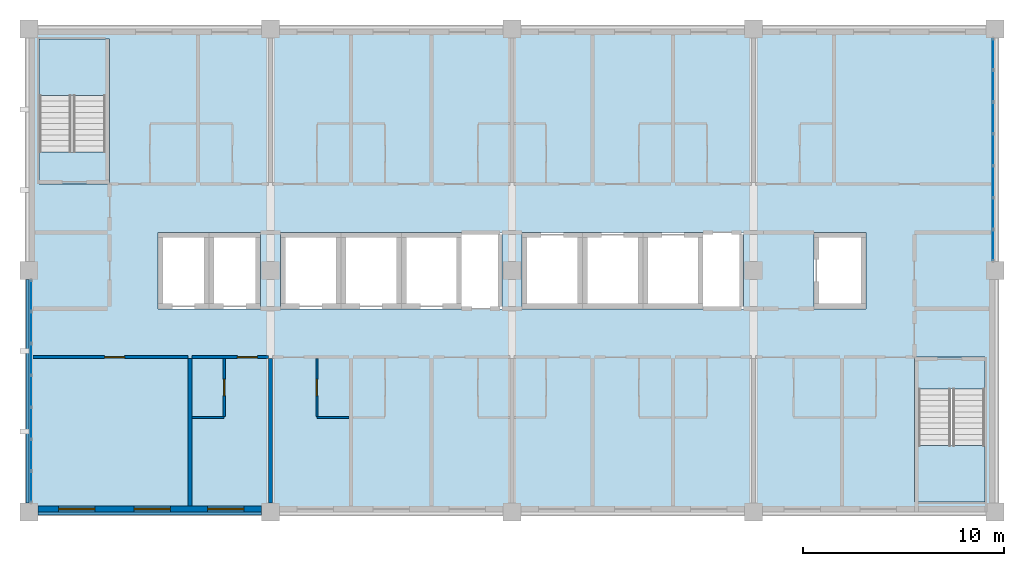
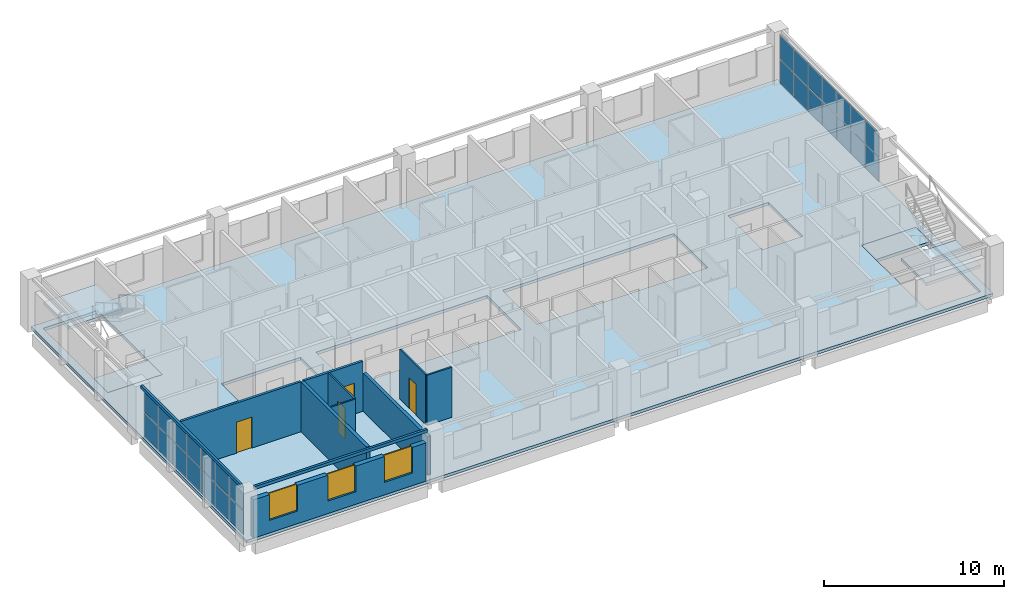
# One storey, part 5 of 11: 28 plates, 11 walls, 5 slabs, 4 doors, 3 windows, 7 openings, 4 elements without a shape of their own.
"""IFC4 building model written with IfcOpenShell, lengths in metres."""

from ifc_helpers import new_model, si_unit, direction, frame, frame_2d, origin, origin_2d, place, context, subcontext, project, spatial, polyline, rectangle, outline, extrude, material, layer, layer_set, type_object, element, fill, aggregate, save


model = new_model("IFC4")

# Units and contexts
model_context = context("Model", 3, precision=1e-05, world=origin(), true_north=direction((0.0, 1.0)))
body_context = subcontext(model_context, "Body", "Model", "MODEL_VIEW")
ifc_project = project(units=[si_unit("LENGTHUNIT", "METRE"), si_unit("AREAUNIT", "SQUARE_METRE"), si_unit("VOLUMEUNIT", "CUBIC_METRE"), si_unit("PLANEANGLEUNIT", "RADIAN"), si_unit("MASSUNIT", "GRAM", prefix="KILO")], contexts=[model_context])

# Site, building, storey
site_placement = place(None, origin())
site = spatial("IfcSite", under=ifc_project, at=site_placement, CompositionType="ELEMENT")
building_placement = place(site_placement, origin())
building = spatial("IfcBuilding", under=site, at=building_placement, Name="Lilac Gate Convention Centre", CompositionType="ELEMENT")
storey_placement = place(building_placement, frame((0.0, 0.0, 24.60009765625)))
storey = spatial("IfcBuildingStorey", under=building, at=storey_placement, Name="L05", CompositionType="ELEMENT", Elevation=24.60009765625)

# Curtain wall, plates
ifc_material_1 = material(Name="Aluminium framed double glazing", Category="aluminium")
ifc_layer_1 = layer(ifc_material_1, 0.199951171875)
ifc_layer_set_1 = layer_set([ifc_layer_1], Name="Aluminium framed double glazing")
curtain_wall_type = type_object("IfcCurtainWallType", Name="Unitised curtain wall 1500", PredefinedType="NOTDEFINED", material=ifc_layer_set_1)
curtain_wall_1_placement = place(storey_placement, origin())
curtain_wall_1 = element("IfcCurtainWall", 1, at=curtain_wall_1_placement, inside=storey, type_object=curtain_wall_type, Name="Curtain wall E L05 2", PredefinedType="NOTDEFINED")
ifc_material_2 = material(Name="Double glazed unit low emissivity")
ifc_layer_2 = layer(ifc_material_2, 0.028076171875)
ifc_layer_set_2 = layer_set([ifc_layer_2], Name="Double glazed unit low emissivity")
plate_type_1 = type_object("IfcPlateType", Name="Curtain wall glass panel 28", PredefinedType="CURTAIN_PANEL", material=ifc_layer_set_2)
plate_1_placement = place(storey_placement, frame((89.89990234375, 235.2578125, 1.72998046875), z_axis=(0.0, 0.0, 1.0), x_axis=(0.0, 1.0, 0.0)))
plate_1 = element("IfcPlate", 2, at=plate_1_placement, type_object=plate_type_1, Name="CW panel 1.2", PredefinedType="CURTAIN_PANEL", context=body_context, shape_type="SweptSolid", body=[
    extrude(rectangle(XDim=1.495849609375, YDim=0.028076171875, at=origin_2d()), origin(), (0.0, 0.0, 1.0), 1.610107421875),
])
plate_2_placement = place(storey_placement, frame((89.89990234375, 236.82861328125, 1.72998046875), z_axis=(0.0, 0.0, 1.0), x_axis=(0.0, 1.0, 0.0)))
plate_2 = element("IfcPlate", 3, at=plate_2_placement, type_object=plate_type_1, Name="CW panel 2.2", PredefinedType="CURTAIN_PANEL", context=body_context, shape_type="SweptSolid", body=[
    extrude(rectangle(XDim=1.525634765625, YDim=0.028076171875, at=origin_2d()), origin(), (0.0, 0.0, 1.0), 1.610107421875),
])
plate_3_placement = place(storey_placement, frame((89.89990234375, 238.414306640625, 1.72998046875), z_axis=(0.0, 0.0, 1.0), x_axis=(0.0, 1.0, 0.0)))
plate_3 = element("IfcPlate", 4, at=plate_3_placement, type_object=plate_type_1, Name="CW panel 3.2", PredefinedType="CURTAIN_PANEL", context=body_context, shape_type="SweptSolid", body=[
    extrude(rectangle(XDim=1.525634765625, YDim=0.028076171875, at=origin_2d()), origin(), (0.0, 0.0, 1.0), 1.610107421875),
])
plate_4_placement = place(storey_placement, frame((89.89990234375, 240.0, 1.72998046875), z_axis=(0.0, 0.0, 1.0), x_axis=(0.0, 1.0, 0.0)))
plate_4 = element("IfcPlate", 5, at=plate_4_placement, type_object=plate_type_1, Name="CW panel 4.2", PredefinedType="CURTAIN_PANEL", context=body_context, shape_type="SweptSolid", body=[
    extrude(rectangle(XDim=1.525634765625, YDim=0.028076171875, at=origin_2d()), origin(), (0.0, 0.0, 1.0), 1.610107421875),
])
plate_5_placement = place(storey_placement, frame((89.89990234375, 241.585693359375, 1.72998046875), z_axis=(0.0, 0.0, 1.0), x_axis=(0.0, 1.0, 0.0)))
plate_5 = element("IfcPlate", 6, at=plate_5_placement, type_object=plate_type_1, Name="CW panel 5.2", PredefinedType="CURTAIN_PANEL", context=body_context, shape_type="SweptSolid", body=[
    extrude(rectangle(XDim=1.525634765625, YDim=0.028076171875, at=origin_2d()), origin(), (0.0, 0.0, 1.0), 1.610107421875),
])
plate_6_placement = place(storey_placement, frame((89.89990234375, 243.17138671875, 1.72998046875), z_axis=(0.0, 0.0, 1.0), x_axis=(0.0, 1.0, 0.0)))
plate_6 = element("IfcPlate", 7, at=plate_6_placement, type_object=plate_type_1, Name="CW panel 6.2", PredefinedType="CURTAIN_PANEL", context=body_context, shape_type="SweptSolid", body=[
    extrude(rectangle(XDim=1.525634765625, YDim=0.028076171875, at=origin_2d()), origin(), (0.0, 0.0, 1.0), 1.610107421875),
])
plate_7_placement = place(storey_placement, frame((89.89990234375, 244.7421875, 1.72998046875), z_axis=(0.0, 0.0, 1.0), x_axis=(0.0, 1.0, 0.0)))
plate_7 = element("IfcPlate", 8, at=plate_7_placement, type_object=plate_type_1, Name="CW panel 7.2", PredefinedType="CURTAIN_PANEL", context=body_context, shape_type="SweptSolid", body=[
    extrude(rectangle(XDim=1.495849609375, YDim=0.028076171875, at=origin_2d()), origin(), (0.0, 0.0, 1.0), 1.610107421875),
])

curtain_wall_2_placement = place(storey_placement, origin())
curtain_wall_2 = element("IfcCurtainWall", 9, at=curtain_wall_2_placement, inside=storey, type_object=curtain_wall_type, Name="Curtain wall W L05 2", PredefinedType="NOTDEFINED")
plate_8_placement = place(storey_placement, frame((42.10009765625, 232.7421875, 1.72998046875), z_axis=(0.0, 0.0, 1.0), x_axis=(0.0, -1.0, 0.0)))
plate_8 = element("IfcPlate", 10, at=plate_8_placement, type_object=plate_type_1, Name="CW panel 1.2", PredefinedType="CURTAIN_PANEL", context=body_context, shape_type="SweptSolid", body=[
    extrude(rectangle(XDim=1.495849609375, YDim=0.028076171875, at=origin_2d()), origin(), (0.0, 0.0, 1.0), 1.610107421875),
])
plate_9_placement = place(storey_placement, frame((42.10009765625, 231.17138671875, 1.72998046875), z_axis=(0.0, 0.0, 1.0), x_axis=(0.0, -1.0, 0.0)))
plate_9 = element("IfcPlate", 11, at=plate_9_placement, type_object=plate_type_1, Name="CW panel 2.2", PredefinedType="CURTAIN_PANEL", context=body_context, shape_type="SweptSolid", body=[
    extrude(rectangle(XDim=1.525634765625, YDim=0.028076171875, at=origin_2d()), origin(), (0.0, 0.0, 1.0), 1.610107421875),
])
plate_10_placement = place(storey_placement, frame((42.10009765625, 229.585693359375, 1.72998046875), z_axis=(0.0, 0.0, 1.0), x_axis=(0.0, -1.0, 0.0)))
plate_10 = element("IfcPlate", 12, at=plate_10_placement, type_object=plate_type_1, Name="CW panel 3.2", PredefinedType="CURTAIN_PANEL", context=body_context, shape_type="SweptSolid", body=[
    extrude(rectangle(XDim=1.525634765625, YDim=0.028076171875, at=origin_2d()), origin(), (0.0, 0.0, 1.0), 1.610107421875),
])
plate_11_placement = place(storey_placement, frame((42.10009765625, 228.0, 1.72998046875), z_axis=(0.0, 0.0, 1.0), x_axis=(0.0, -1.0, 0.0)))
plate_11 = element("IfcPlate", 13, at=plate_11_placement, type_object=plate_type_1, Name="CW panel 4.2", PredefinedType="CURTAIN_PANEL", context=body_context, shape_type="SweptSolid", body=[
    extrude(rectangle(XDim=1.525634765625, YDim=0.028076171875, at=origin_2d()), origin(), (0.0, 0.0, 1.0), 1.610107421875),
])
plate_12_placement = place(storey_placement, frame((42.10009765625, 226.414306640625, 1.72998046875), z_axis=(0.0, 0.0, 1.0), x_axis=(0.0, -1.0, 0.0)))
plate_12 = element("IfcPlate", 14, at=plate_12_placement, type_object=plate_type_1, Name="CW panel 5.2", PredefinedType="CURTAIN_PANEL", context=body_context, shape_type="SweptSolid", body=[
    extrude(rectangle(XDim=1.525634765625, YDim=0.028076171875, at=origin_2d()), origin(), (0.0, 0.0, 1.0), 1.610107421875),
])
plate_13_placement = place(storey_placement, frame((42.10009765625, 224.82861328125, 1.72998046875), z_axis=(0.0, 0.0, 1.0), x_axis=(0.0, -1.0, 0.0)))
plate_13 = element("IfcPlate", 15, at=plate_13_placement, type_object=plate_type_1, Name="CW panel 6.2", PredefinedType="CURTAIN_PANEL", context=body_context, shape_type="SweptSolid", body=[
    extrude(rectangle(XDim=1.525634765625, YDim=0.028076171875, at=origin_2d()), origin(), (0.0, 0.0, 1.0), 1.610107421875),
])
plate_14_placement = place(storey_placement, frame((42.10009765625, 223.2578125, 1.72998046875), z_axis=(0.0, 0.0, 1.0), x_axis=(0.0, -1.0, 0.0)))
plate_14 = element("IfcPlate", 16, at=plate_14_placement, type_object=plate_type_1, Name="CW panel 7.2", PredefinedType="CURTAIN_PANEL", context=body_context, shape_type="SweptSolid", body=[
    extrude(rectangle(XDim=1.495849609375, YDim=0.028076171875, at=origin_2d()), origin(), (0.0, 0.0, 1.0), 1.610107421875),
])

# Plate
ifc_material_3 = material(Name="Insulated aluminium spandrel panel", Category="aluminium")
ifc_layer_3 = layer(ifc_material_3, 0.028076171875)
ifc_layer_set_3 = layer_set([ifc_layer_3], Name="Insulated aluminium spandrel panel")
plate_type_2 = type_object("IfcPlateType", Name="Curtain wall spandrel panel 28", PredefinedType="CURTAIN_PANEL", material=ifc_layer_set_3)
plate_15_placement = place(storey_placement, frame((89.89990234375, 235.2578125, 0.06005859375), z_axis=(0.0, 0.0, 1.0), x_axis=(0.0, 1.0, 0.0)))
plate_15 = element("IfcPlate", 17, at=plate_15_placement, type_object=plate_type_2, Name="CW spandrel 1.1", PredefinedType="CURTAIN_PANEL", context=body_context, shape_type="SweptSolid", body=[
    extrude(rectangle(XDim=1.495849609375, YDim=0.028076171875, at=origin_2d()), origin(), (0.0, 0.0, 1.0), 1.60986328125),
])

plate_16_placement = place(storey_placement, frame((89.89990234375, 236.82861328125, 0.06005859375), z_axis=(0.0, 0.0, 1.0), x_axis=(0.0, 1.0, 0.0)))
plate_16 = element("IfcPlate", 18, at=plate_16_placement, type_object=plate_type_2, Name="CW spandrel 2.1", PredefinedType="CURTAIN_PANEL", context=body_context, shape_type="SweptSolid", body=[
    extrude(rectangle(XDim=1.525634765625, YDim=0.028076171875, at=origin_2d()), origin(), (0.0, 0.0, 1.0), 1.60986328125),
])

plate_17_placement = place(storey_placement, frame((89.89990234375, 238.414306640625, 0.06005859375), z_axis=(0.0, 0.0, 1.0), x_axis=(0.0, 1.0, 0.0)))
plate_17 = element("IfcPlate", 19, at=plate_17_placement, type_object=plate_type_2, Name="CW spandrel 3.1", PredefinedType="CURTAIN_PANEL", context=body_context, shape_type="SweptSolid", body=[
    extrude(rectangle(XDim=1.525634765625, YDim=0.028076171875, at=origin_2d()), origin(), (0.0, 0.0, 1.0), 1.60986328125),
])

plate_18_placement = place(storey_placement, frame((89.89990234375, 240.0, 0.06005859375), z_axis=(0.0, 0.0, 1.0), x_axis=(0.0, 1.0, 0.0)))
plate_18 = element("IfcPlate", 20, at=plate_18_placement, type_object=plate_type_2, Name="CW spandrel 4.1", PredefinedType="CURTAIN_PANEL", context=body_context, shape_type="SweptSolid", body=[
    extrude(rectangle(XDim=1.525634765625, YDim=0.028076171875, at=origin_2d()), origin(), (0.0, 0.0, 1.0), 1.60986328125),
])

plate_19_placement = place(storey_placement, frame((89.89990234375, 241.585693359375, 0.06005859375), z_axis=(0.0, 0.0, 1.0), x_axis=(0.0, 1.0, 0.0)))
plate_19 = element("IfcPlate", 21, at=plate_19_placement, type_object=plate_type_2, Name="CW spandrel 5.1", PredefinedType="CURTAIN_PANEL", context=body_context, shape_type="SweptSolid", body=[
    extrude(rectangle(XDim=1.525634765625, YDim=0.028076171875, at=origin_2d()), origin(), (0.0, 0.0, 1.0), 1.60986328125),
])

plate_20_placement = place(storey_placement, frame((89.89990234375, 243.17138671875, 0.06005859375), z_axis=(0.0, 0.0, 1.0), x_axis=(0.0, 1.0, 0.0)))
plate_20 = element("IfcPlate", 22, at=plate_20_placement, type_object=plate_type_2, Name="CW spandrel 6.1", PredefinedType="CURTAIN_PANEL", context=body_context, shape_type="SweptSolid", body=[
    extrude(rectangle(XDim=1.525634765625, YDim=0.028076171875, at=origin_2d()), origin(), (0.0, 0.0, 1.0), 1.60986328125),
])

plate_21_placement = place(storey_placement, frame((89.89990234375, 244.7421875, 0.06005859375), z_axis=(0.0, 0.0, 1.0), x_axis=(0.0, 1.0, 0.0)))
plate_21 = element("IfcPlate", 23, at=plate_21_placement, type_object=plate_type_2, Name="CW spandrel 7.1", PredefinedType="CURTAIN_PANEL", context=body_context, shape_type="SweptSolid", body=[
    extrude(rectangle(XDim=1.495849609375, YDim=0.028076171875, at=origin_2d()), origin(), (0.0, 0.0, 1.0), 1.60986328125),
])

aggregate(curtain_wall_1, [plate_15, plate_1, plate_16, plate_2, plate_17, plate_3, plate_18, plate_4, plate_19, plate_5, plate_20, plate_6, plate_21, plate_7])

plate_22_placement = place(storey_placement, frame((42.10009765625, 232.7421875, 0.06005859375), z_axis=(0.0, 0.0, 1.0), x_axis=(0.0, -1.0, 0.0)))
plate_22 = element("IfcPlate", 24, at=plate_22_placement, type_object=plate_type_2, Name="CW spandrel 1.1", PredefinedType="CURTAIN_PANEL", context=body_context, shape_type="SweptSolid", body=[
    extrude(rectangle(XDim=1.495849609375, YDim=0.028076171875, at=origin_2d()), origin(), (0.0, 0.0, 1.0), 1.60986328125),
])

plate_23_placement = place(storey_placement, frame((42.10009765625, 231.17138671875, 0.06005859375), z_axis=(0.0, 0.0, 1.0), x_axis=(0.0, -1.0, 0.0)))
plate_23 = element("IfcPlate", 25, at=plate_23_placement, type_object=plate_type_2, Name="CW spandrel 2.1", PredefinedType="CURTAIN_PANEL", context=body_context, shape_type="SweptSolid", body=[
    extrude(rectangle(XDim=1.525634765625, YDim=0.028076171875, at=origin_2d()), origin(), (0.0, 0.0, 1.0), 1.60986328125),
])

plate_24_placement = place(storey_placement, frame((42.10009765625, 229.585693359375, 0.06005859375), z_axis=(0.0, 0.0, 1.0), x_axis=(0.0, -1.0, 0.0)))
plate_24 = element("IfcPlate", 26, at=plate_24_placement, type_object=plate_type_2, Name="CW spandrel 3.1", PredefinedType="CURTAIN_PANEL", context=body_context, shape_type="SweptSolid", body=[
    extrude(rectangle(XDim=1.525634765625, YDim=0.028076171875, at=origin_2d()), origin(), (0.0, 0.0, 1.0), 1.60986328125),
])

plate_25_placement = place(storey_placement, frame((42.10009765625, 228.0, 0.06005859375), z_axis=(0.0, 0.0, 1.0), x_axis=(0.0, -1.0, 0.0)))
plate_25 = element("IfcPlate", 27, at=plate_25_placement, type_object=plate_type_2, Name="CW spandrel 4.1", PredefinedType="CURTAIN_PANEL", context=body_context, shape_type="SweptSolid", body=[
    extrude(rectangle(XDim=1.525634765625, YDim=0.028076171875, at=origin_2d()), origin(), (0.0, 0.0, 1.0), 1.60986328125),
])

plate_26_placement = place(storey_placement, frame((42.10009765625, 226.414306640625, 0.06005859375), z_axis=(0.0, 0.0, 1.0), x_axis=(0.0, -1.0, 0.0)))
plate_26 = element("IfcPlate", 28, at=plate_26_placement, type_object=plate_type_2, Name="CW spandrel 5.1", PredefinedType="CURTAIN_PANEL", context=body_context, shape_type="SweptSolid", body=[
    extrude(rectangle(XDim=1.525634765625, YDim=0.028076171875, at=origin_2d()), origin(), (0.0, 0.0, 1.0), 1.60986328125),
])

plate_27_placement = place(storey_placement, frame((42.10009765625, 224.82861328125, 0.06005859375), z_axis=(0.0, 0.0, 1.0), x_axis=(0.0, -1.0, 0.0)))
plate_27 = element("IfcPlate", 29, at=plate_27_placement, type_object=plate_type_2, Name="CW spandrel 6.1", PredefinedType="CURTAIN_PANEL", context=body_context, shape_type="SweptSolid", body=[
    extrude(rectangle(XDim=1.525634765625, YDim=0.028076171875, at=origin_2d()), origin(), (0.0, 0.0, 1.0), 1.60986328125),
])

plate_28_placement = place(storey_placement, frame((42.10009765625, 223.2578125, 0.06005859375), z_axis=(0.0, 0.0, 1.0), x_axis=(0.0, -1.0, 0.0)))
plate_28 = element("IfcPlate", 30, at=plate_28_placement, type_object=plate_type_2, Name="CW spandrel 7.1", PredefinedType="CURTAIN_PANEL", context=body_context, shape_type="SweptSolid", body=[
    extrude(rectangle(XDim=1.495849609375, YDim=0.028076171875, at=origin_2d()), origin(), (0.0, 0.0, 1.0), 1.60986328125),
])

aggregate(curtain_wall_2, [plate_22, plate_8, plate_23, plate_9, plate_24, plate_10, plate_25, plate_11, plate_26, plate_12, plate_27, plate_13, plate_28, plate_14])

# Stair, slabs
ifc_material_4 = material(Name="Concrete C40", Category="concrete")
stair_type = type_object("IfcStairType", Name="Exit stair", PredefinedType="DOUBLE_RETURN_STAIR", material=ifc_material_4)
stair_1_placement = place(storey_placement, origin())
stair_1 = element("IfcStair", 31, at=stair_1_placement, inside=storey, type_object=stair_type, Name="Exit stair NW L05", PredefinedType="DOUBLE_RETURN_STAIR")
ifc_layer_4 = layer(ifc_material_4, 0.199951171875)
ifc_layer_set_4 = layer_set([ifc_layer_4], Name="Concrete C40")
slab_type_1 = type_object("IfcSlabType", Name="Exit stair landing", PredefinedType="LANDING", material=ifc_layer_set_4)
slab_1_placement = place(storey_placement, frame((0.0, 0.0, -0.2001953125)))
slab_1 = element("IfcSlab", 32, at=slab_1_placement, type_object=slab_type_1, Name="ST-NW landing 1", PredefinedType="LANDING", context=body_context, shape_type="SweptSolid", body=[
    extrude(outline(polyline([(42.5, 238.300048828125), (46.0, 238.300048828125), (46.0, 239.89990234375), (42.5, 239.89990234375), (42.5, 238.300048828125)])), origin(), (0.0, 0.0, 1.0), 0.2001953125),
])
slab_2_placement = place(storey_placement, frame((0.0, 0.0, 1.599853515625)))
slab_2 = element("IfcSlab", 33, at=slab_2_placement, type_object=slab_type_1, Name="ST-NW landing 2", PredefinedType="LANDING", context=body_context, shape_type="SweptSolid", body=[
    extrude(outline(polyline([(42.5, 242.699951171875), (46.0, 242.699951171875), (46.0, 245.5), (42.5, 245.5), (42.5, 242.699951171875)])), origin(), (0.0, 0.0, 1.0), 0.199951171875),
])
aggregate(stair_1, [slab_1, slab_2])

stair_2_placement = place(storey_placement, origin())
stair_2 = element("IfcStair", 34, at=stair_2_placement, inside=storey, type_object=stair_type, Name="Exit stair SE L05", PredefinedType="DOUBLE_RETURN_STAIR")
slab_3_placement = place(storey_placement, frame((0.0, 0.0, -0.2001953125)))
slab_3 = element("IfcSlab", 35, at=slab_3_placement, type_object=slab_type_1, Name="ST-SE landing 1", PredefinedType="LANDING", context=body_context, shape_type="SweptSolid", body=[
    extrude(outline(polyline([(86.0, 228.10009765625), (89.5, 228.10009765625), (89.5, 229.699951171875), (86.0, 229.699951171875), (86.0, 228.10009765625)])), origin(), (0.0, 0.0, 1.0), 0.2001953125),
])
slab_4_placement = place(storey_placement, frame((0.0, 0.0, 1.599853515625)))
slab_4 = element("IfcSlab", 36, at=slab_4_placement, type_object=slab_type_1, Name="ST-SE landing 2", PredefinedType="LANDING", context=body_context, shape_type="SweptSolid", body=[
    extrude(outline(polyline([(86.0, 222.5), (89.5, 222.5), (89.5, 225.300048828125), (86.0, 225.300048828125), (86.0, 222.5)])), origin(), (0.0, 0.0, 1.0), 0.199951171875),
])
aggregate(stair_2, [slab_3, slab_4])

# Slab
ifc_layer_5 = layer(ifc_material_4, 0.199951171875)
ifc_layer_set_5 = layer_set([ifc_layer_5], Name="Concrete C40")
slab_type_2 = type_object("IfcSlabType", Name="Floor slab 200 C40", PredefinedType="FLOOR", material=ifc_layer_set_5)
slab_5_placement = place(storey_placement, frame((0.0, 0.0, -0.2001953125)))
element("IfcSlab", 37, at=slab_5_placement, inside=storey, type_object=slab_type_2, Name="FS3 slab L05 1", PredefinedType="FLOOR", context=body_context, shape_type="SweptSolid", body=[
    extrude(outline(polyline([(42.0, 222.0), (42.0, 246.0), (90.0, 246.0), (90.0, 222.0), (42.0, 222.0)]), holes=[polyline([(48.39990234375, 235.89990234375), (48.39990234375, 232.10009765625), (50.949951171875, 232.10009765625), (53.5, 232.10009765625), (53.5, 235.89990234375), (50.949951171875, 235.89990234375), (48.39990234375, 235.89990234375)]), polyline([(57.5, 235.89990234375), (54.5, 235.89990234375), (54.5, 232.10009765625), (57.5, 232.10009765625), (60.5, 232.10009765625), (63.5, 232.10009765625), (65.5, 232.10009765625), (65.5, 235.89990234375), (63.5, 235.89990234375), (60.5, 235.89990234375), (57.5, 235.89990234375)]), polyline([(42.5, 245.5), (42.5, 238.300048828125), (46.0, 238.300048828125), (46.0, 245.5), (42.5, 245.5)]), polyline([(89.5, 229.699951171875), (86.0, 229.699951171875), (86.0, 222.5), (89.5, 222.5), (89.5, 229.699951171875)]), polyline([(69.5, 235.89990234375), (66.5, 235.89990234375), (66.5, 232.10009765625), (69.5, 232.10009765625), (72.5, 232.10009765625), (75.5, 232.10009765625), (77.5, 232.10009765625), (77.5, 235.89990234375), (75.5, 235.89990234375), (72.5, 235.89990234375), (69.5, 235.89990234375)]), polyline([(83.60009765625, 235.89990234375), (81.0, 235.89990234375), (81.0, 232.10009765625), (83.60009765625, 232.10009765625), (83.60009765625, 235.89990234375)])]), origin(), (0.0, 0.0, 1.0), 0.2001953125),
])

# Wall, opening, door
ifc_material_5 = material(Name="Gypsum board on steel stud", Category="steel")
ifc_layer_6 = layer(ifc_material_5, 0.14990234375)
ifc_layer_set_6 = layer_set([ifc_layer_6], Name="Gypsum board on steel stud")
wall_type_1 = type_object("IfcWallType", Name="Corridor wall 150", PredefinedType="PARTITIONING", material=ifc_layer_set_6)
wall_1_placement = place(storey_placement, frame((49.89990234375, 229.699951171875, 0.0), z_axis=(0.0, 0.0, 1.0), x_axis=(-1.0, 0.0, 0.0)))
wall_1 = element("IfcWall", 38, at=wall_1_placement, inside=storey, type_object=wall_type_1, Name="Corridor wall 150 front 0501", PredefinedType="PARTITIONING", context=body_context, shape_type="SweptSolid", body=[
    extrude(rectangle(XDim=7.69970703125, YDim=0.14990234375, at=frame_2d((3.849853515625, 0.0))), origin(), (0.0, 0.0, 1.0), 3.39990234375),
])
opening_1_placement = place(wall_1_placement, frame((3.14990234375, 0.0, 0.0)))
opening_1 = element("IfcOpeningElement", 39, at=opening_1_placement, cuts=wall_1, Name="Opening T04-008", PredefinedType="OPENING", context=body_context, shape_type="SweptSolid", body=[
    extrude(rectangle(XDim=1.0, YDim=2.10009765625, at=frame_2d((0.5, 1.050048828125))), frame((0.0, 0.0849609375, 0.0), z_axis=(0.0, -1.0, 0.0), x_axis=(1.0, 0.0, 0.0)), (0.0, 0.0, 1.0), 0.169921875),
])
ifc_material_6 = material(Name="Timber", Category="wood")
door_type_1 = type_object("IfcDoorType", Name="Room door 1000", OperationType="SINGLE_SWING_LEFT", PredefinedType="DOOR", material=ifc_material_6)
door_1_placement = place(opening_1_placement, origin())
door_1 = element("IfcDoor", 40, at=door_1_placement, inside=storey, type_object=door_type_1, Name="Meeting Room door", OperationType="SINGLE_SWING_LEFT", OverallHeight=2.10009765625, OverallWidth=1.0, PredefinedType="DOOR", context=body_context, shape_type="SweptSolid", body=[
    extrude(rectangle(XDim=1.0, YDim=2.10009765625, at=frame_2d((0.5, 1.050048828125))), frame((0.0, 0.02490234375, 0.0), z_axis=(0.0, -1.0, 0.0), x_axis=(1.0, 0.0, 0.0)), (0.0, 0.0, 1.0), 0.050048828125),
])
fill(opening_1, door_1)

wall_2_placement = place(storey_placement, frame((53.89990234375, 229.699951171875, 0.0), z_axis=(0.0, 0.0, 1.0), x_axis=(-1.0, 0.0, 0.0)))
wall_2 = element("IfcWall", 41, at=wall_2_placement, inside=storey, type_object=wall_type_1, Name="Corridor wall 150 front 0502", PredefinedType="PARTITIONING", context=body_context, shape_type="SweptSolid", body=[
    extrude(rectangle(XDim=3.7998046875, YDim=0.14990234375, at=frame_2d((1.89990234375, 0.0))), origin(), (0.0, 0.0, 1.0), 3.39990234375),
])
opening_2_placement = place(wall_2_placement, frame((0.550048828125, 0.0, 0.0)))
opening_2 = element("IfcOpeningElement", 42, at=opening_2_placement, cuts=wall_2, Name="Opening T04-009", PredefinedType="OPENING", context=body_context, shape_type="SweptSolid", body=[
    extrude(rectangle(XDim=1.0, YDim=2.10009765625, at=frame_2d((0.5, 1.050048828125))), frame((0.0, 0.0849609375, 0.0), z_axis=(0.0, -1.0, 0.0), x_axis=(1.0, 0.0, 0.0)), (0.0, 0.0, 1.0), 0.169921875),
])
door_type_2 = type_object("IfcDoorType", Name="Guest room entrance door 1000", OperationType="SINGLE_SWING_LEFT", PredefinedType="DOOR", material=ifc_material_6)
door_2_placement = place(opening_2_placement, origin())
door_2 = element("IfcDoor", 43, at=door_2_placement, inside=storey, type_object=door_type_2, Name="Guest room door 0502", OperationType="SINGLE_SWING_LEFT", OverallHeight=2.10009765625, OverallWidth=1.0, PredefinedType="DOOR", context=body_context, shape_type="SweptSolid", body=[
    extrude(rectangle(XDim=1.0, YDim=2.10009765625, at=frame_2d((0.5, 1.050048828125))), frame((0.0, 0.02490234375, 0.0), z_axis=(0.0, -1.0, 0.0), x_axis=(1.0, 0.0, 0.0)), (0.0, 0.0, 1.0), 0.050048828125),
])
fill(opening_2, door_2)

# Wall
ifc_layer_7 = layer(ifc_material_5, 0.10009765625)
ifc_layer_set_7 = layer_set([ifc_layer_7], Name="Gypsum board on steel stud")
wall_type_2 = type_object("IfcWallType", Name="En-suite wall 100", PredefinedType="PARTITIONING", material=ifc_layer_set_7)
wall_3_placement = place(storey_placement, frame((50.10009765625, 226.699951171875, 0.0), z_axis=(0.0, 0.0, 1.0), x_axis=(1.0, 0.0, 0.0)))
element("IfcWall", 44, at=wall_3_placement, inside=storey, type_object=wall_type_2, Name="En-suite wall 100 bath 0502", PredefinedType="PARTITIONING", context=body_context, shape_type="SweptSolid", body=[
    extrude(rectangle(XDim=1.599853515625, YDim=0.10009765625, at=frame_2d((0.7998046875, 0.0))), origin(), (0.0, 0.0, 1.0), 3.39990234375),
])

# Wall, opening, door
wall_4_placement = place(storey_placement, frame((51.699951171875, 229.625, 0.0), z_axis=(0.0, 0.0, 1.0), x_axis=(0.0, -1.0, 0.0)))
wall_4 = element("IfcWall", 45, at=wall_4_placement, inside=storey, type_object=wall_type_2, Name="En-suite wall 100 bath side 0502", PredefinedType="PARTITIONING", context=body_context, shape_type="SweptSolid", body=[
    extrude(rectangle(XDim=2.875, YDim=0.10009765625, at=frame_2d((1.4375, 0.0))), origin(), (0.0, 0.0, 1.0), 3.39990234375),
])
opening_3_placement = place(wall_4_placement, frame((1.03759765625, 0.0, 0.0)))
opening_3 = element("IfcOpeningElement", 46, at=opening_3_placement, cuts=wall_4, Name="Opening T04-010", PredefinedType="OPENING", context=body_context, shape_type="SweptSolid", body=[
    extrude(rectangle(XDim=0.800048828125, YDim=2.10009765625, at=frame_2d((0.39990234375, 1.050048828125))), frame((0.0, 0.06005859375, 0.0), z_axis=(0.0, -1.0, 0.0), x_axis=(1.0, 0.0, 0.0)), (0.0, 0.0, 1.0), 0.1201171875),
])
door_type_3 = type_object("IfcDoorType", Name="En-suite door 800", OperationType="SINGLE_SWING_LEFT", PredefinedType="DOOR", material=ifc_material_6)
door_3_placement = place(opening_3_placement, origin())
door_3 = element("IfcDoor", 47, at=door_3_placement, inside=storey, type_object=door_type_3, Name="En-suite door 0502", OperationType="SINGLE_SWING_LEFT", OverallHeight=2.10009765625, OverallWidth=0.800048828125, PredefinedType="DOOR", context=body_context, shape_type="SweptSolid", body=[
    extrude(rectangle(XDim=0.800048828125, YDim=2.10009765625, at=frame_2d((0.39990234375, 1.050048828125))), frame((0.0, 0.02490234375, 0.0), z_axis=(0.0, -1.0, 0.0), x_axis=(1.0, 0.0, 0.0)), (0.0, 0.0, 1.0), 0.050048828125),
])
fill(opening_3, door_3)

# Wall
wall_5_placement = place(storey_placement, frame((56.300048828125, 226.699951171875, 0.0), z_axis=(0.0, 0.0, 1.0), x_axis=(1.0, 0.0, 0.0)))
element("IfcWall", 48, at=wall_5_placement, inside=storey, type_object=wall_type_2, Name="En-suite wall 100 bath 0503", PredefinedType="PARTITIONING", context=body_context, shape_type="SweptSolid", body=[
    extrude(rectangle(XDim=1.599853515625, YDim=0.10009765625, at=frame_2d((0.7998046875, 0.0))), origin(), (0.0, 0.0, 1.0), 3.39990234375),
])

# Wall, opening, door
wall_6_placement = place(storey_placement, frame((56.300048828125, 226.75, 0.0), z_axis=(0.0, 0.0, 1.0), x_axis=(0.0, 1.0, 0.0)))
wall_6 = element("IfcWall", 49, at=wall_6_placement, inside=storey, type_object=wall_type_2, Name="En-suite wall 100 bath side 0503", PredefinedType="PARTITIONING", context=body_context, shape_type="SweptSolid", body=[
    extrude(rectangle(XDim=2.875, YDim=0.10009765625, at=frame_2d((1.4375, 0.0))), origin(), (0.0, 0.0, 1.0), 3.39990234375),
])
opening_4_placement = place(wall_6_placement, frame((1.03759765625, 0.0, 0.0)))
opening_4 = element("IfcOpeningElement", 50, at=opening_4_placement, cuts=wall_6, Name="Opening T04-012", PredefinedType="OPENING", context=body_context, shape_type="SweptSolid", body=[
    extrude(rectangle(XDim=0.800048828125, YDim=2.10009765625, at=frame_2d((0.39990234375, 1.050048828125))), frame((0.0, 0.06005859375, 0.0), z_axis=(0.0, -1.0, 0.0), x_axis=(1.0, 0.0, 0.0)), (0.0, 0.0, 1.0), 0.1201171875),
])
door_4_placement = place(opening_4_placement, origin())
door_4 = element("IfcDoor", 51, at=door_4_placement, inside=storey, type_object=door_type_3, Name="En-suite door 0503", OperationType="SINGLE_SWING_RIGHT", OverallHeight=2.10009765625, OverallWidth=0.800048828125, PredefinedType="DOOR", context=body_context, shape_type="SweptSolid", body=[
    extrude(rectangle(XDim=0.800048828125, YDim=2.10009765625, at=frame_2d((0.39990234375, 1.050048828125))), frame((0.0, 0.02490234375, 0.0), z_axis=(0.0, -1.0, 0.0), x_axis=(1.0, 0.0, 0.0)), (0.0, 0.0, 1.0), 0.050048828125),
])
fill(opening_4, door_4)

# Walls
ifc_layer_8 = layer(ifc_material_5, 0.199951171875)
ifc_layer_set_8 = layer_set([ifc_layer_8], Name="Gypsum board on steel stud")
wall_type_3 = type_object("IfcWallType", Name="Guest room party wall 200", PredefinedType="PARTITIONING", material=ifc_layer_set_8)
wall_7_placement = place(storey_placement, frame((50.0, 222.2998046875, 0.0), z_axis=(0.0, 0.0, 1.0), x_axis=(0.0, 1.0, 0.0)))
element("IfcWall", 52, at=wall_7_placement, inside=storey, type_object=wall_type_3, Name="Guest room party wall 200 party 50.0", PredefinedType="PARTITIONING", context=body_context, shape_type="SweptSolid", body=[
    extrude(rectangle(XDim=7.3251953125, YDim=0.199951171875, at=frame_2d((3.66259765625, 0.0))), origin(), (0.0, 0.0, 1.0), 3.39990234375),
])
wall_8_placement = place(storey_placement, frame((54.0, 222.449951171875, 0.0), z_axis=(0.0, 0.0, 1.0), x_axis=(0.0, 1.0, 0.0)))
element("IfcWall", 53, at=wall_8_placement, inside=storey, type_object=wall_type_3, Name="Guest room party wall 200 party 54.0", PredefinedType="PARTITIONING", context=body_context, shape_type="SweptSolid", body=[
    extrude(rectangle(XDim=7.175048828125, YDim=0.199951171875, at=frame_2d((3.58740234375, 0.0))), origin(), (0.0, 0.0, 1.0), 2.599853515625),
])
ifc_material_7 = material(Name="Concrete C40 precast", Category="concrete")
ifc_layer_9 = layer(ifc_material_7, 0.1298828125)
ifc_material_8 = material(Name="Ochre mineral render")
ifc_layer_10 = layer(ifc_material_8, 0.02001953125)
ifc_layer_set_9 = layer_set([ifc_layer_9, ifc_layer_10], Name="Concrete C40 precast, Ochre mineral render")
wall_type_4 = type_object("IfcWallType", Name="Precast band ochre 150", PredefinedType="STANDARD", material=ifc_layer_set_9)
for number, where, z_axis, x_axis, name in (
    (54, (42.449951171875, 221.925048828125, 3.39990234375), (0.0, 0.0, 1.0), (1.0, 0.0, 0.0), "Precast band S L05 1"),
    (55, (41.925048828125, 233.550048828125, 3.39990234375), (0.0, 0.0, 1.0), (0.0, -1.0, 0.0), "Precast band W L05 2"),
):
    element("IfcWall", number, at=place(storey_placement, frame(where, z_axis=z_axis, x_axis=x_axis)), inside=storey, type_object=wall_type_4, Name=name, PredefinedType="STANDARD", context=body_context, shape_type="SweptSolid", body=[
        extrude(rectangle(XDim=11.10009765625, YDim=0.14990234375, at=frame_2d((5.550048828125, 0.0))), origin(), (0.0, 0.0, 1.0), 0.199951171875),
    ])

# Wall, openings, windows
ifc_layer_11 = layer(ifc_material_8, 0.02001953125)
ifc_layer_12 = layer(ifc_material_7, 0.06005859375)
ifc_material_9 = material(Name="Ventilated air cavity")
ifc_layer_13 = layer(ifc_material_9, 0.030029296875)
ifc_material_10 = material(Name="Mineral wool insulation")
ifc_layer_14 = layer(ifc_material_10, 0.1201171875)
ifc_material_11 = material(Name="Steel stud Q345 and gypsum lining", Category="steel")
ifc_layer_15 = layer(ifc_material_11, 0.070068359375)
ifc_layer_set_10 = layer_set([ifc_layer_11, ifc_layer_12, ifc_layer_13, ifc_layer_14, ifc_layer_15], Name="Ochre mineral render, Concrete C40 precast, Ventilated air cavity, Mineral wool insulation, Steel stud Q345 and gypsum lining")
wall_type_5 = type_object("IfcWallType", Name="Precast panel wall ochre 300", PredefinedType="STANDARD", material=ifc_layer_set_10)
wall_9_placement = place(storey_placement, frame((42.449951171875, 222.14990234375, 0.0), z_axis=(0.0, 0.0, 1.0), x_axis=(1.0, 0.0, 0.0)))
wall_9 = element("IfcWall", 56, at=wall_9_placement, inside=storey, type_object=wall_type_5, Name="External wall S L05 1", PredefinedType="STANDARD", context=body_context, shape_type="SweptSolid", body=[
    extrude(rectangle(XDim=11.10009765625, YDim=0.300048828125, at=frame_2d((5.550048828125, 0.0))), origin(), (0.0, 0.0, 1.0), 2.599853515625),
])
opening_5_placement = place(wall_9_placement, frame((1.02490234375, 0.0, 0.85009765625)))
opening_5 = element("IfcOpeningElement", 57, at=opening_5_placement, cuts=wall_9, Name="Opening W1", PredefinedType="OPENING", context=body_context, shape_type="SweptSolid", body=[
    extrude(rectangle(XDim=1.800048828125, YDim=1.75, at=frame_2d((0.89990234375, 0.875))), frame((0.0, 0.159912109375, 0.0), z_axis=(0.0, -1.0, 0.0), x_axis=(1.0, 0.0, 0.0)), (0.0, 0.0, 1.0), 0.320068359375),
])
opening_6_placement = place(wall_9_placement, frame((4.77490234375, 0.0, 0.85009765625)))
opening_6 = element("IfcOpeningElement", 58, at=opening_6_placement, cuts=wall_9, Name="Opening W1", PredefinedType="OPENING", context=body_context, shape_type="SweptSolid", body=[
    extrude(rectangle(XDim=1.800048828125, YDim=1.75, at=frame_2d((0.89990234375, 0.875))), frame((0.0, 0.159912109375, 0.0), z_axis=(0.0, -1.0, 0.0), x_axis=(1.0, 0.0, 0.0)), (0.0, 0.0, 1.0), 0.320068359375),
])
opening_7_placement = place(wall_9_placement, frame((8.425048828125, 0.0, 0.85009765625)))
opening_7 = element("IfcOpeningElement", 59, at=opening_7_placement, cuts=wall_9, Name="Opening W1", PredefinedType="OPENING", context=body_context, shape_type="SweptSolid", body=[
    extrude(rectangle(XDim=1.800048828125, YDim=1.75, at=frame_2d((0.89990234375, 0.875))), frame((0.0, 0.159912109375, 0.0), z_axis=(0.0, -1.0, 0.0), x_axis=(1.0, 0.0, 0.0)), (0.0, 0.0, 1.0), 0.320068359375),
])
window_type = type_object("IfcWindowType", Name="Guest room window 1800 x 1750", PartitioningType="DOUBLE_PANEL_VERTICAL", PredefinedType="WINDOW", material=ifc_material_1)
window_1_placement = place(opening_5_placement, origin())
window_1 = element("IfcWindow", 60, at=window_1_placement, inside=storey, type_object=window_type, Name="Window Guest S L05", OverallHeight=1.75, OverallWidth=1.800048828125, PartitioningType="SINGLE_PANEL", PredefinedType="WINDOW", context=body_context, shape_type="SweptSolid", body=[
    extrude(rectangle(XDim=1.800048828125, YDim=1.75, at=frame_2d((0.89990234375, 0.875))), frame((0.0, 0.030029296875, 0.0), z_axis=(0.0, -1.0, 0.0), x_axis=(1.0, 0.0, 0.0)), (0.0, 0.0, 1.0), 0.06005859375),
])
fill(opening_5, window_1)
window_2_placement = place(opening_6_placement, origin())
window_2 = element("IfcWindow", 61, at=window_2_placement, inside=storey, type_object=window_type, Name="Window Guest S L05", OverallHeight=1.75, OverallWidth=1.800048828125, PartitioningType="SINGLE_PANEL", PredefinedType="WINDOW", context=body_context, shape_type="SweptSolid", body=[
    extrude(rectangle(XDim=1.800048828125, YDim=1.75, at=frame_2d((0.89990234375, 0.875))), frame((0.0, 0.030029296875, 0.0), z_axis=(0.0, -1.0, 0.0), x_axis=(1.0, 0.0, 0.0)), (0.0, 0.0, 1.0), 0.06005859375),
])
fill(opening_6, window_2)
window_3_placement = place(opening_7_placement, origin())
window_3 = element("IfcWindow", 62, at=window_3_placement, inside=storey, type_object=window_type, Name="Window Guest S L05", OverallHeight=1.75, OverallWidth=1.800048828125, PartitioningType="SINGLE_PANEL", PredefinedType="WINDOW", context=body_context, shape_type="SweptSolid", body=[
    extrude(rectangle(XDim=1.800048828125, YDim=1.75, at=frame_2d((0.89990234375, 0.875))), frame((0.0, 0.030029296875, 0.0), z_axis=(0.0, -1.0, 0.0), x_axis=(1.0, 0.0, 0.0)), (0.0, 0.0, 1.0), 0.06005859375),
])
fill(opening_7, window_3)

save(model, "model.ifc")
